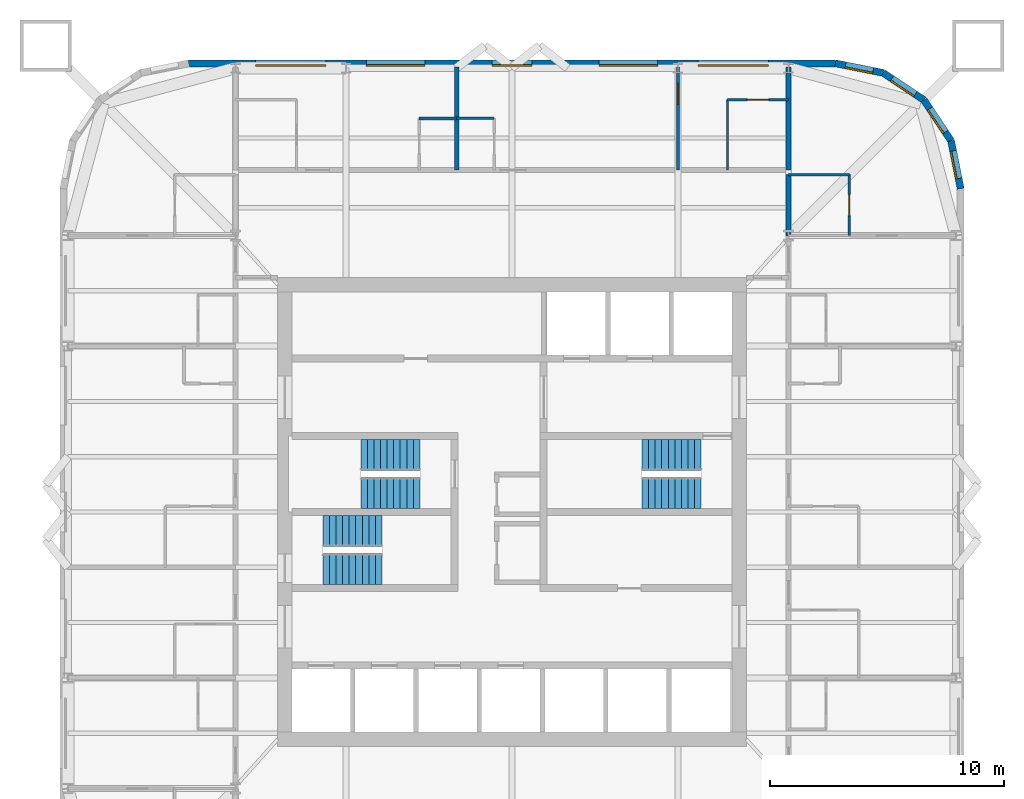
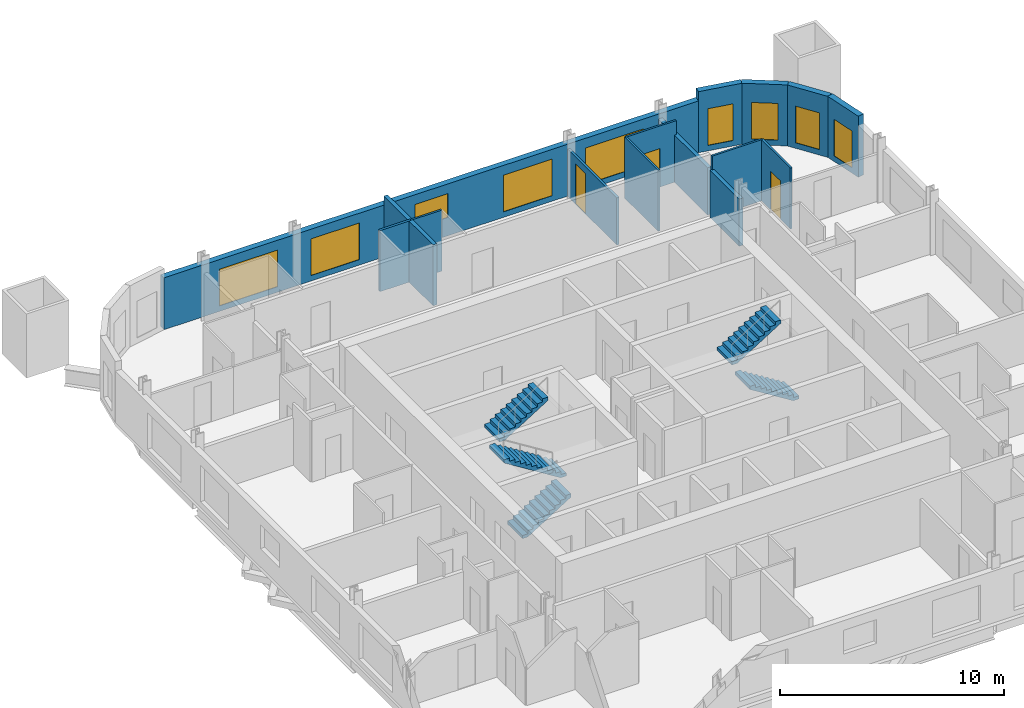
# One storey, part 7 of 8: 15 walls, 9 windows, 6 stair flights, 3 doors, 12 openings, 3 elements without a shape of their own.
"""IFC4 building model written with IfcOpenShell, lengths in metres."""

from ifc_helpers import new_model, si_unit, direction, frame, frame_2d, origin, place, context, subcontext, project, spatial, polyline, rectangle, outline, extrude, material, layer, layer_set, type_object, element, fill, aggregate, save


model = new_model("IFC4")

# Units and contexts
model_context = context("Model", 3, precision=1e-05, world=origin(), true_north=direction((0.0, 1.0)))
body_context = subcontext(model_context, "Body", "Model", "MODEL_VIEW")
ifc_project = project(units=[si_unit("LENGTHUNIT", "METRE"), si_unit("AREAUNIT", "SQUARE_METRE"), si_unit("VOLUMEUNIT", "CUBIC_METRE"), si_unit("PLANEANGLEUNIT", "RADIAN"), si_unit("MASSUNIT", "GRAM", prefix="KILO")], contexts=[model_context])

# Site, building, storey
site_placement = place(None, origin())
site = spatial("IfcSite", under=ifc_project, at=site_placement, CompositionType="ELEMENT")
building_placement = place(site_placement, origin())
building = spatial("IfcBuilding", under=site, at=building_placement, Name="Turquesa Mirador Hotel Tower", CompositionType="ELEMENT")
storey_placement = place(building_placement, frame((0.0, 0.0, 193.300048828125)))
storey = spatial("IfcBuildingStorey", under=building, at=storey_placement, Name="L52", CompositionType="ELEMENT", Elevation=193.300048828125)

# Walls
ifc_material_1 = material(Name="Gypsum board on steel studs", Category="steel")
ifc_layer_1 = layer(ifc_material_1, 0.10009765625)
ifc_layer_set_1 = layer_set([ifc_layer_1], Name="BATHROOM WALL 100")
wall_type_1 = type_object("IfcWallType", Name="BATHROOM WALL 100", PredefinedType="PARTITIONING", material=ifc_layer_set_1)
wall_1_placement = place(storey_placement, frame((66.800048828125, 59.39990234375, 0.0), z_axis=(0.0, 0.0, 1.0), x_axis=(1.0, 0.0, 0.0)))
element("IfcWall", 1, at=wall_1_placement, inside=storey, type_object=wall_type_1, Name="Partition L52 029", PredefinedType="PARTITIONING", context=body_context, shape_type="SweptSolid", body=[
    extrude(rectangle(XDim=2.599853515625, YDim=0.10009765625, at=frame_2d((1.2998046875, 0.0))), origin(), (0.0, 0.0, 1.0), 3.329833984375),
])
wall_2_placement = place(storey_placement, frame((52.639892578125, 61.800048828125, 0.0), z_axis=(0.0, 0.0, 1.0), x_axis=(1.0, 0.0, 0.0)))
element("IfcWall", 2, at=wall_2_placement, inside=storey, type_object=wall_type_1, Name="Partition L52 031", PredefinedType="PARTITIONING", context=body_context, shape_type="SweptSolid", body=[
    extrude(rectangle(XDim=1.60009765625, YDim=0.10009765625, at=frame_2d((0.800048828125, 0.0))), origin(), (0.0, 0.0, 1.0), 3.329833984375),
])

# Wall, opening, door
wall_3_placement = place(storey_placement, frame((64.199951171875, 62.60009765625, 0.0), z_axis=(0.0, 0.0, 1.0), x_axis=(1.0, 0.0, 0.0)))
wall_3 = element("IfcWall", 3, at=wall_3_placement, inside=storey, type_object=wall_type_1, Name="Partition L52 034", PredefinedType="PARTITIONING", context=body_context, shape_type="SweptSolid", body=[
    extrude(rectangle(XDim=2.60009765625, YDim=0.10009765625, at=frame_2d((1.300048828125, 0.0))), origin(), (0.0, 0.0, 1.0), 3.329833984375),
])
opening_1_placement = place(wall_3_placement, frame((0.85009765625, 0.0, 0.0)))
opening_1 = element("IfcOpeningElement", 4, at=opening_1_placement, cuts=wall_3, Name="Opening D02", PredefinedType="OPENING", context=body_context, shape_type="SweptSolid", body=[
    extrude(rectangle(XDim=0.89990234375, YDim=2.10009765625, at=frame_2d((0.449951171875, 1.050048828125))), frame((0.0, 0.06005859375, 0.0), z_axis=(0.0, -1.0, 0.0), x_axis=(1.0, 0.0, 0.0)), (0.0, 0.0, 1.0), 0.1201171875),
])
ifc_material_2 = material(Name="Timber veneered door", Category="wood")
door_type_1 = type_object("IfcDoorType", Name="DOOR 900X2100 EN-SUITE", OperationType="SINGLE_SWING_RIGHT", PredefinedType="DOOR", material=ifc_material_2)
door_1_placement = place(opening_1_placement, origin())
door_1 = element("IfcDoor", 5, at=door_1_placement, inside=storey, type_object=door_type_1, Name="Door 5202B", OperationType="SINGLE_SWING_RIGHT", OverallHeight=2.10009765625, OverallWidth=0.89990234375, PredefinedType="DOOR", context=body_context, shape_type="SweptSolid", body=[
    extrude(rectangle(XDim=0.89990234375, YDim=2.10009765625, at=frame_2d((0.449951171875, 1.050048828125))), frame((0.0, 0.02490234375, 0.0), z_axis=(0.0, -1.0, 0.0), x_axis=(1.0, 0.0, 0.0)), (0.0, 0.0, 1.0), 0.050048828125),
])
fill(opening_1, door_1)

wall_4_placement = place(storey_placement, frame((69.39990234375, 56.800048828125, 0.0), z_axis=(0.0, 0.0, 1.0), x_axis=(0.0, 1.0, 0.0)))
wall_4 = element("IfcWall", 6, at=wall_4_placement, inside=storey, type_object=wall_type_1, Name="Partition L52 066", PredefinedType="PARTITIONING", context=body_context, shape_type="SweptSolid", body=[
    extrude(rectangle(XDim=2.599853515625, YDim=0.10009765625, at=frame_2d((1.2998046875, 0.0))), origin(), (0.0, 0.0, 1.0), 3.329833984375),
])
opening_2_placement = place(wall_4_placement, frame((0.85009765625, 0.0, 0.0)))
opening_2 = element("IfcOpeningElement", 7, at=opening_2_placement, cuts=wall_4, Name="Opening D02", PredefinedType="OPENING", context=body_context, shape_type="SweptSolid", body=[
    extrude(rectangle(XDim=0.89990234375, YDim=2.10009765625, at=frame_2d((0.449951171875, 1.050048828125))), frame((0.0, 0.06005859375, 0.0), z_axis=(0.0, -1.0, 0.0), x_axis=(1.0, 0.0, 0.0)), (0.0, 0.0, 1.0), 0.1201171875),
])
door_2_placement = place(opening_2_placement, origin())
door_2 = element("IfcDoor", 8, at=door_2_placement, inside=storey, type_object=door_type_1, Name="Door 5209B", OperationType="SINGLE_SWING_RIGHT", OverallHeight=2.10009765625, OverallWidth=0.89990234375, PredefinedType="DOOR", context=body_context, shape_type="SweptSolid", body=[
    extrude(rectangle(XDim=0.89990234375, YDim=2.10009765625, at=frame_2d((0.449951171875, 1.050048828125))), frame((0.0, 0.02490234375, 0.0), z_axis=(0.0, -1.0, 0.0), x_axis=(1.0, 0.0, 0.0)), (0.0, 0.0, 1.0), 0.050048828125),
])
fill(opening_2, door_2)

# Walls
wall_5_placement = place(storey_placement, frame((64.199951171875, 59.60009765625, 0.0), z_axis=(0.0, 0.0, 1.0), x_axis=(0.0, 1.0, 0.0)))
element("IfcWall", 9, at=wall_5_placement, inside=storey, type_object=wall_type_1, Name="Partition L52 072", PredefinedType="PARTITIONING", context=body_context, shape_type="SweptSolid", body=[
    extrude(rectangle(XDim=3.0, YDim=0.10009765625, at=frame_2d((1.5, 0.0))), origin(), (0.0, 0.0, 1.0), 3.329833984375),
])
ifc_material_3 = material(Name="Fire-rated gypsum board on steel studs", Category="steel")
ifc_layer_2 = layer(ifc_material_3, 0.199951171875)
ifc_layer_set_2 = layer_set([ifc_layer_2], Name="CORRIDOR WALL 200")
wall_type_2 = type_object("IfcWallType", Name="CORRIDOR WALL 200", PredefinedType="PARTITIONING", material=ifc_layer_set_2)
wall_6_placement = place(storey_placement, frame((66.800048828125, 56.780029296875, 0.0), z_axis=(0.0, 0.0, 1.0), x_axis=(0.0, 1.0, 0.0)))
element("IfcWall", 10, at=wall_6_placement, inside=storey, type_object=wall_type_2, Name="Partition L52 076", PredefinedType="PARTITIONING", context=body_context, shape_type="SweptSolid", body=[
    extrude(rectangle(XDim=2.619873046875, YDim=0.199951171875, at=frame_2d((1.31005859375, 0.0))), origin(), (0.0, 0.0, 1.0), 2.572998046875),
])

# Wall, opening, window
ifc_material_4 = material(Name="Limestone cladding on concrete block", Category="masonry")
ifc_layer_3 = layer(ifc_material_4, 0.300048828125)
ifc_layer_set_3 = layer_set([ifc_layer_3], Name="FACADE WALL 300 STONE SCREEN")
wall_type_3 = type_object("IfcWallType", Name="FACADE WALL 300 STONE SCREEN", PredefinedType="SOLIDWALL", material=ifc_layer_set_3)
wall_7_placement = place(storey_placement, frame((74.14990234375, 58.800048828125, 0.0), z_axis=(0.0, 0.0, 1.0), x_axis=(-0.195081421501, 0.980787050784, 0.0)))
wall_7 = element("IfcWall", 11, at=wall_7_placement, inside=storey, type_object=wall_type_3, Name="Facade wall L52 05", PredefinedType="SOLIDWALL", context=body_context, shape_type="SweptSolid", body=[
    extrude(rectangle(XDim=2.08740234375, YDim=0.300048828125, at=frame_2d((1.043701171875, 0.0))), origin(), (0.0, 0.0, 1.0), 3.329833984375),
])
opening_3_placement = place(wall_7_placement, frame((0.443603515625, 0.0, 0.300048828125)))
opening_3 = element("IfcOpeningElement", 12, at=opening_3_placement, cuts=wall_7, Name="Opening WN4", PredefinedType="OPENING", context=body_context, shape_type="SweptSolid", body=[
    extrude(rectangle(XDim=1.199951171875, YDim=2.0, at=frame_2d((0.60009765625, 1.0))), frame((0.0, 0.159912109375, 0.0), z_axis=(0.0, -1.0, 0.0), x_axis=(1.0, 0.0, 0.0)), (0.0, 0.0, 1.0), 0.320068359375),
])
ifc_material_5 = material(Name="Ceramic-fritted laminated glass", Category="glass")
window_type_1 = type_object("IfcWindowType", Name="FRITTED CORNER WINDOW 1200X2000", PartitioningType="DOUBLE_PANEL_HORIZONTAL", PredefinedType="WINDOW", material=ifc_material_5)
window_1_placement = place(opening_3_placement, origin())
window_1 = element("IfcWindow", 13, at=window_1_placement, inside=storey, type_object=window_type_1, Name="Window L52", OverallHeight=2.0, OverallWidth=1.199951171875, PartitioningType="SINGLE_PANEL", PredefinedType="WINDOW", context=body_context, shape_type="SweptSolid", body=[
    extrude(rectangle(XDim=1.199951171875, YDim=2.0, at=frame_2d((0.60009765625, 1.0))), frame((0.0, 0.130126953125, 0.0), z_axis=(0.0, -1.0, 0.0), x_axis=(1.0, 0.0, 0.0)), (0.0, 0.0, 1.0), 0.06005859375),
])
fill(opening_3, window_1)

wall_8_placement = place(storey_placement, frame((73.74267578125, 60.847412109375, 0.0), z_axis=(0.0, 0.0, 1.0), x_axis=(-0.555563607591, 0.831474039234, 0.0)))
wall_8 = element("IfcWall", 14, at=wall_8_placement, inside=storey, type_object=wall_type_3, Name="Facade wall L52 06", PredefinedType="SOLIDWALL", context=body_context, shape_type="SweptSolid", body=[
    extrude(rectangle(XDim=2.08740234375, YDim=0.300048828125, at=frame_2d((1.043701171875, 0.0))), origin(), (0.0, 0.0, 1.0), 3.329833984375),
])
opening_4_placement = place(wall_8_placement, frame((0.443603515625, 0.0, 0.300048828125)))
opening_4 = element("IfcOpeningElement", 15, at=opening_4_placement, cuts=wall_8, Name="Opening WN4", PredefinedType="OPENING", context=body_context, shape_type="SweptSolid", body=[
    extrude(rectangle(XDim=1.199951171875, YDim=2.0, at=frame_2d((0.60009765625, 1.0))), frame((0.0, 0.159912109375, 0.0), z_axis=(0.0, -1.0, 0.0), x_axis=(1.0, 0.0, 0.0)), (0.0, 0.0, 1.0), 0.320068359375),
])
window_2_placement = place(opening_4_placement, origin())
window_2 = element("IfcWindow", 16, at=window_2_placement, inside=storey, type_object=window_type_1, Name="Window L52", OverallHeight=2.0, OverallWidth=1.199951171875, PartitioningType="SINGLE_PANEL", PredefinedType="WINDOW", context=body_context, shape_type="SweptSolid", body=[
    extrude(rectangle(XDim=1.199951171875, YDim=2.0, at=frame_2d((0.60009765625, 1.0))), frame((0.0, 0.130126953125, 0.0), z_axis=(0.0, -1.0, 0.0), x_axis=(1.0, 0.0, 0.0)), (0.0, 0.0, 1.0), 0.06005859375),
])
fill(opening_4, window_2)

wall_9_placement = place(storey_placement, frame((72.5830078125, 62.5830078125, 0.0), z_axis=(0.0, 0.0, 1.0), x_axis=(-0.831474039234, 0.555563607591, 0.0)))
wall_9 = element("IfcWall", 17, at=wall_9_placement, inside=storey, type_object=wall_type_3, Name="Facade wall L52 07", PredefinedType="SOLIDWALL", context=body_context, shape_type="SweptSolid", body=[
    extrude(rectangle(XDim=2.08740234375, YDim=0.300048828125, at=frame_2d((1.043701171875, 0.0))), origin(), (0.0, 0.0, 1.0), 3.329833984375),
])
opening_5_placement = place(wall_9_placement, frame((0.443603515625, 0.0, 0.300048828125)))
opening_5 = element("IfcOpeningElement", 18, at=opening_5_placement, cuts=wall_9, Name="Opening WN4", PredefinedType="OPENING", context=body_context, shape_type="SweptSolid", body=[
    extrude(rectangle(XDim=1.199951171875, YDim=2.0, at=frame_2d((0.60009765625, 1.0))), frame((0.0, 0.159912109375, 0.0), z_axis=(0.0, -1.0, 0.0), x_axis=(1.0, 0.0, 0.0)), (0.0, 0.0, 1.0), 0.320068359375),
])
window_3_placement = place(opening_5_placement, origin())
window_3 = element("IfcWindow", 19, at=window_3_placement, inside=storey, type_object=window_type_1, Name="Window L52", OverallHeight=2.0, OverallWidth=1.199951171875, PartitioningType="SINGLE_PANEL", PredefinedType="WINDOW", context=body_context, shape_type="SweptSolid", body=[
    extrude(rectangle(XDim=1.199951171875, YDim=2.0, at=frame_2d((0.60009765625, 1.0))), frame((0.0, 0.130126953125, 0.0), z_axis=(0.0, -1.0, 0.0), x_axis=(1.0, 0.0, 0.0)), (0.0, 0.0, 1.0), 0.06005859375),
])
fill(opening_5, window_3)

wall_10_placement = place(storey_placement, frame((70.847412109375, 63.74267578125, 0.0), z_axis=(0.0, 0.0, 1.0), x_axis=(-0.980787050784, 0.195081421501, 0.0)))
wall_10 = element("IfcWall", 20, at=wall_10_placement, inside=storey, type_object=wall_type_3, Name="Facade wall L52 08", PredefinedType="SOLIDWALL", context=body_context, shape_type="SweptSolid", body=[
    extrude(rectangle(XDim=2.08740234375, YDim=0.300048828125, at=frame_2d((1.043701171875, 0.0))), origin(), (0.0, 0.0, 1.0), 3.329833984375),
])
opening_6_placement = place(wall_10_placement, frame((0.443603515625, 0.0, 0.300048828125)))
opening_6 = element("IfcOpeningElement", 21, at=opening_6_placement, cuts=wall_10, Name="Opening WN4", PredefinedType="OPENING", context=body_context, shape_type="SweptSolid", body=[
    extrude(rectangle(XDim=1.199951171875, YDim=2.0, at=frame_2d((0.60009765625, 1.0))), frame((0.0, 0.159912109375, 0.0), z_axis=(0.0, -1.0, 0.0), x_axis=(1.0, 0.0, 0.0)), (0.0, 0.0, 1.0), 0.320068359375),
])
window_4_placement = place(opening_6_placement, origin())
window_4 = element("IfcWindow", 22, at=window_4_placement, inside=storey, type_object=window_type_1, Name="Window L52", OverallHeight=2.0, OverallWidth=1.199951171875, PartitioningType="SINGLE_PANEL", PredefinedType="WINDOW", context=body_context, shape_type="SweptSolid", body=[
    extrude(rectangle(XDim=1.199951171875, YDim=2.0, at=frame_2d((0.60009765625, 1.0))), frame((0.0, 0.130126953125, 0.0), z_axis=(0.0, -1.0, 0.0), x_axis=(1.0, 0.0, 0.0)), (0.0, 0.0, 1.0), 0.06005859375),
])
fill(opening_6, window_4)

# Wall, openings, windows
wall_11_placement = place(storey_placement, frame((68.800048828125, 64.14990234375, 0.0), z_axis=(0.0, 0.0, 1.0), x_axis=(-1.0, 0.0, 0.0)))
wall_11 = element("IfcWall", 23, at=wall_11_placement, inside=storey, type_object=wall_type_3, Name="Facade wall L52 09", PredefinedType="SOLIDWALL", context=body_context, shape_type="SweptSolid", body=[
    extrude(rectangle(XDim=27.60009765625, YDim=0.300048828125, at=frame_2d((13.800048828125, 0.0))), origin(), (0.0, 0.0, 1.0), 2.829833984375),
])
opening_7_placement = place(wall_11_placement, frame((2.860107421875, 0.0, 0.300048828125)))
opening_7 = element("IfcOpeningElement", 24, at=opening_7_placement, cuts=wall_11, Name="Opening WN1", PredefinedType="OPENING", context=body_context, shape_type="SweptSolid", body=[
    extrude(rectangle(XDim=3.0, YDim=2.0, at=frame_2d((1.5, 1.0))), frame((0.0, 0.159912109375, 0.0), z_axis=(0.0, -1.0, 0.0), x_axis=(1.0, 0.0, 0.0)), (0.0, 0.0, 1.0), 0.320068359375),
])
opening_8_placement = place(wall_11_placement, frame((7.580078125, 0.0, 0.300048828125)))
opening_8 = element("IfcOpeningElement", 25, at=opening_8_placement, cuts=wall_11, Name="Opening WN52", PredefinedType="OPENING", context=body_context, shape_type="SweptSolid", body=[
    extrude(rectangle(XDim=2.5, YDim=2.0, at=frame_2d((1.25, 1.0))), frame((0.0, 0.159912109375, 0.0), z_axis=(0.0, -1.0, 0.0), x_axis=(1.0, 0.0, 0.0)), (0.0, 0.0, 1.0), 0.320068359375),
])
opening_9_placement = place(wall_11_placement, frame((12.949951171875, 0.0, 1.0)))
opening_9 = element("IfcOpeningElement", 26, at=opening_9_placement, cuts=wall_11, Name="Opening WN45", PredefinedType="OPENING", context=body_context, shape_type="SweptSolid", body=[
    extrude(rectangle(XDim=1.699951171875, YDim=1.300048828125, at=frame_2d((0.85009765625, 0.64990234375))), frame((0.0, 0.159912109375, 0.0), z_axis=(0.0, -1.0, 0.0), x_axis=(1.0, 0.0, 0.0)), (0.0, 0.0, 1.0), 0.320068359375),
])
opening_10_placement = place(wall_11_placement, frame((17.52001953125, 0.0, 0.300048828125)))
opening_10 = element("IfcOpeningElement", 27, at=opening_10_placement, cuts=wall_11, Name="Opening WN52", PredefinedType="OPENING", context=body_context, shape_type="SweptSolid", body=[
    extrude(rectangle(XDim=2.5, YDim=2.0, at=frame_2d((1.25, 1.0))), frame((0.0, 0.159912109375, 0.0), z_axis=(0.0, -1.0, 0.0), x_axis=(1.0, 0.0, 0.0)), (0.0, 0.0, 1.0), 0.320068359375),
])
opening_11_placement = place(wall_11_placement, frame((21.739990234375, 0.0, 0.300048828125)))
opening_11 = element("IfcOpeningElement", 28, at=opening_11_placement, cuts=wall_11, Name="Opening WN1", PredefinedType="OPENING", context=body_context, shape_type="SweptSolid", body=[
    extrude(rectangle(XDim=3.0, YDim=2.0, at=frame_2d((1.5, 1.0))), frame((0.0, 0.159912109375, 0.0), z_axis=(0.0, -1.0, 0.0), x_axis=(1.0, 0.0, 0.0)), (0.0, 0.0, 1.0), 0.320068359375),
])
ifc_material_6 = material(Name="Ceramic-fritted laminated glass", Category="glass")
window_type_2 = type_object("IfcWindowType", Name="FRITTED WINDOW 1700X1300", PartitioningType="DOUBLE_PANEL_HORIZONTAL", PredefinedType="WINDOW", material=ifc_material_6)
window_5_placement = place(opening_9_placement, origin())
window_5 = element("IfcWindow", 29, at=window_5_placement, inside=storey, type_object=window_type_2, Name="Window L52", OverallHeight=1.300048828125, OverallWidth=1.699951171875, PartitioningType="SINGLE_PANEL", PredefinedType="WINDOW", context=body_context, shape_type="SweptSolid", body=[
    extrude(rectangle(XDim=1.699951171875, YDim=1.300048828125, at=frame_2d((0.85009765625, 0.64990234375))), frame((0.0, 0.130126953125, 0.0), z_axis=(0.0, -1.0, 0.0), x_axis=(1.0, 0.0, 0.0)), (0.0, 0.0, 1.0), 0.06005859375),
])
fill(opening_9, window_5)
ifc_material_7 = material(Name="Ceramic-fritted laminated glass", Category="glass")
window_type_3 = type_object("IfcWindowType", Name="FRITTED WINDOW 2500X2000", PartitioningType="DOUBLE_PANEL_HORIZONTAL", PredefinedType="WINDOW", material=ifc_material_7)
window_6_placement = place(opening_8_placement, origin())
window_6 = element("IfcWindow", 30, at=window_6_placement, inside=storey, type_object=window_type_3, Name="Window L52", OverallHeight=2.0, OverallWidth=2.5, PartitioningType="SINGLE_PANEL", PredefinedType="WINDOW", context=body_context, shape_type="SweptSolid", body=[
    extrude(rectangle(XDim=2.5, YDim=2.0, at=frame_2d((1.25, 1.0))), frame((0.0, 0.130126953125, 0.0), z_axis=(0.0, -1.0, 0.0), x_axis=(1.0, 0.0, 0.0)), (0.0, 0.0, 1.0), 0.06005859375),
])
fill(opening_8, window_6)
window_7_placement = place(opening_10_placement, origin())
window_7 = element("IfcWindow", 31, at=window_7_placement, inside=storey, type_object=window_type_3, Name="Window L52", OverallHeight=2.0, OverallWidth=2.5, PartitioningType="SINGLE_PANEL", PredefinedType="WINDOW", context=body_context, shape_type="SweptSolid", body=[
    extrude(rectangle(XDim=2.5, YDim=2.0, at=frame_2d((1.25, 1.0))), frame((0.0, 0.130126953125, 0.0), z_axis=(0.0, -1.0, 0.0), x_axis=(1.0, 0.0, 0.0)), (0.0, 0.0, 1.0), 0.06005859375),
])
fill(opening_10, window_7)
ifc_material_8 = material(Name="Ceramic-fritted laminated glass", Category="glass")
window_type_4 = type_object("IfcWindowType", Name="FRITTED WINDOW 3000X2000", PartitioningType="DOUBLE_PANEL_HORIZONTAL", PredefinedType="WINDOW", material=ifc_material_8)
window_8_placement = place(opening_7_placement, origin())
window_8 = element("IfcWindow", 32, at=window_8_placement, inside=storey, type_object=window_type_4, Name="Window L52", OverallHeight=2.0, OverallWidth=3.0, PartitioningType="SINGLE_PANEL", PredefinedType="WINDOW", context=body_context, shape_type="SweptSolid", body=[
    extrude(rectangle(XDim=3.0, YDim=2.0, at=frame_2d((1.5, 1.0))), frame((0.0, 0.130126953125, 0.0), z_axis=(0.0, -1.0, 0.0), x_axis=(1.0, 0.0, 0.0)), (0.0, 0.0, 1.0), 0.06005859375),
])
fill(opening_7, window_8)
window_9_placement = place(opening_11_placement, origin())
window_9 = element("IfcWindow", 33, at=window_9_placement, inside=storey, type_object=window_type_4, Name="Window L52", OverallHeight=2.0, OverallWidth=3.0, PartitioningType="SINGLE_PANEL", PredefinedType="WINDOW", context=body_context, shape_type="SweptSolid", body=[
    extrude(rectangle(XDim=3.0, YDim=2.0, at=frame_2d((1.5, 1.0))), frame((0.0, 0.130126953125, 0.0), z_axis=(0.0, -1.0, 0.0), x_axis=(1.0, 0.0, 0.0)), (0.0, 0.0, 1.0), 0.06005859375),
])
fill(opening_11, window_9)

# Walls
ifc_material_9 = material(Name="Fire-rated gypsum board on steel studs", Category="steel")
ifc_layer_4 = layer(ifc_material_9, 0.199951171875)
ifc_layer_set_4 = layer_set([ifc_layer_4], Name="PARTY WALL 200")
wall_type_4 = type_object("IfcWallType", Name="PARTY WALL 200", PredefinedType="PARTITIONING", material=ifc_layer_set_4)
wall_12_placement = place(storey_placement, frame((52.639892578125, 59.60009765625, 0.0), z_axis=(0.0, 0.0, 1.0), x_axis=(0.0, 1.0, 0.0)))
element("IfcWall", 34, at=wall_12_placement, inside=storey, type_object=wall_type_4, Name="Partition L52 054", PredefinedType="PARTITIONING", context=body_context, shape_type="SweptSolid", body=[
    extrude(rectangle(XDim=4.39990234375, YDim=0.199951171875, at=frame_2d((2.199951171875, 0.0))), origin(), (0.0, 0.0, 1.0), 3.329833984375),
])
wall_13_placement = place(storey_placement, frame((66.800048828125, 59.60009765625, 0.0), z_axis=(0.0, 0.0, 1.0), x_axis=(0.0, 1.0, 0.0)))
element("IfcWall", 35, at=wall_13_placement, inside=storey, type_object=wall_type_4, Name="Partition L52 061", PredefinedType="PARTITIONING", context=body_context, shape_type="SweptSolid", body=[
    extrude(rectangle(XDim=4.39990234375, YDim=0.199951171875, at=frame_2d((2.199951171875, 0.0))), origin(), (0.0, 0.0, 1.0), 2.572998046875),
])
ifc_material_10 = material(Name="Acoustic gypsum board on steel studs", Category="steel")
ifc_layer_5 = layer(ifc_material_10, 0.125)
ifc_layer_set_5 = layer_set([ifc_layer_5], Name="SUITE PARTITION 125")
wall_type_5 = type_object("IfcWallType", Name="SUITE PARTITION 125", PredefinedType="PARTITIONING", material=ifc_layer_set_5)
wall_14_placement = place(storey_placement, frame((51.0400390625, 61.800048828125, 0.0), z_axis=(0.0, 0.0, 1.0), x_axis=(1.0, 0.0, 0.0)))
element("IfcWall", 36, at=wall_14_placement, inside=storey, type_object=wall_type_5, Name="Partition L52 032", PredefinedType="PARTITIONING", context=body_context, shape_type="SweptSolid", body=[
    extrude(rectangle(XDim=1.599853515625, YDim=0.125, at=frame_2d((0.7998046875, 0.0))), origin(), (0.0, 0.0, 1.0), 3.329833984375),
])

# Wall, opening, door
wall_15_placement = place(storey_placement, frame((62.080078125, 59.60009765625, 0.0), z_axis=(0.0, 0.0, 1.0), x_axis=(0.0, 1.0, 0.0)))
wall_15 = element("IfcWall", 37, at=wall_15_placement, inside=storey, type_object=wall_type_5, Name="Partition L52 070", PredefinedType="PARTITIONING", context=body_context, shape_type="SweptSolid", body=[
    extrude(rectangle(XDim=4.39990234375, YDim=0.125, at=frame_2d((2.199951171875, 0.0))), origin(), (0.0, 0.0, 1.0), 2.572998046875),
])
opening_12_placement = place(wall_15_placement, frame((2.800048828125, 0.0, 0.0)))
opening_12 = element("IfcOpeningElement", 38, at=opening_12_placement, cuts=wall_15, Name="Opening D17", PredefinedType="OPENING", context=body_context, shape_type="SweptSolid", body=[
    extrude(rectangle(XDim=0.89990234375, YDim=2.199951171875, at=frame_2d((0.449951171875, 1.10009765625))), frame((0.0, 0.072509765625, 0.0), z_axis=(0.0, -1.0, 0.0), x_axis=(1.0, 0.0, 0.0)), (0.0, 0.0, 1.0), 0.14501953125),
])
ifc_material_11 = material(Name="Timber veneered door", Category="wood")
door_type_2 = type_object("IfcDoorType", Name="DOOR 900X2200 SUITE INTERNAL", OperationType="SINGLE_SWING_LEFT", PredefinedType="DOOR", material=ifc_material_11)
door_3_placement = place(opening_12_placement, origin())
door_3 = element("IfcDoor", 39, at=door_3_placement, inside=storey, type_object=door_type_2, Name="Door 5202R", OperationType="SINGLE_SWING_LEFT", OverallHeight=2.199951171875, OverallWidth=0.89990234375, PredefinedType="DOOR", context=body_context, shape_type="SweptSolid", body=[
    extrude(rectangle(XDim=0.89990234375, YDim=2.199951171875, at=frame_2d((0.449951171875, 1.10009765625))), frame((0.0, 0.02490234375, 0.0), z_axis=(0.0, -1.0, 0.0), x_axis=(1.0, 0.0, 0.0)), (0.0, 0.0, 1.0), 0.050048828125),
])
fill(opening_12, door_3)

# Stair, stair flights
ifc_material_12 = material(Name="Concrete C35/45", Category="concrete")
stair_type = type_object("IfcStairType", Name="ESCAPE STAIR CORE", PredefinedType="HALF_TURN_STAIR", material=ifc_material_12)
stair_1_placement = place(storey_placement, origin())
stair_1 = element("IfcStair", 40, at=stair_1_placement, inside=storey, type_object=stair_type, Name="Stair ST1 L52 to L53", PredefinedType="HALF_TURN_STAIR")
ifc_material_13 = material(Name="Concrete C35/45 precast flight", Category="concrete")
stair_flight_type = type_object("IfcStairFlightType", Name="STAIR FLIGHT 1330", PredefinedType="STRAIGHT", material=ifc_material_13)
stair_flight_1_placement = place(storey_placement, frame((51.070068359375, 45.81494140625, 0.0), z_axis=(0.0, 0.0, 1.0), x_axis=(-1.0, 0.0, 0.0)))
stair_flight_1 = element("IfcStairFlight", 41, at=stair_flight_1_placement, type_object=stair_flight_type, Name="ST1 flight 1", NumberOfRisers=10, NumberOfTreads=9, PredefinedType="STRAIGHT", RiserHeight=0.175, TreadLength=0.28, context=body_context, shape_type="SweptSolid", body=[
    extrude(outline(polyline([(0.0, 0.0), (0.0, 0.175048828125), (0.280029296875, 0.175048828125), (0.280029296875, 0.35009765625), (0.56005859375, 0.35009765625), (0.56005859375, 0.52490234375), (0.840087890625, 0.52490234375), (0.840087890625, 0.699951171875), (1.1201171875, 0.699951171875), (1.1201171875, 0.875), (1.39990234375, 0.875), (1.39990234375, 1.050048828125), (1.679931640625, 1.050048828125), (1.679931640625, 1.22509765625), (1.9599609375, 1.22509765625), (1.9599609375, 1.39990234375), (2.239990234375, 1.39990234375), (2.239990234375, 1.574951171875), (2.52001953125, 1.574951171875), (2.52001953125, 1.75), (2.52001953125, 1.398193359375), (0.28271484375, 0.0), (0.0, 0.0)])), frame((0.0, 0.6650390625, 0.0), z_axis=(0.0, -1.0, 0.0), x_axis=(1.0, 0.0, 0.0)), (0.0, 0.0, 1.0), 1.330078125),
])
stair_flight_2_placement = place(storey_placement, frame((48.550048828125, 47.43505859375, 1.75), z_axis=(0.0, 0.0, 1.0), x_axis=(1.0, 0.0, 0.0)))
stair_flight_2 = element("IfcStairFlight", 42, at=stair_flight_2_placement, type_object=stair_flight_type, Name="ST1 flight 2", NumberOfRisers=10, NumberOfTreads=9, PredefinedType="STRAIGHT", RiserHeight=0.175, TreadLength=0.28, context=body_context, shape_type="SweptSolid", body=[
    extrude(outline(polyline([(0.0, 0.0), (0.0, 0.175048828125), (0.280029296875, 0.175048828125), (0.280029296875, 0.35009765625), (0.56005859375, 0.35009765625), (0.56005859375, 0.52490234375), (0.840087890625, 0.52490234375), (0.840087890625, 0.699951171875), (1.1201171875, 0.699951171875), (1.1201171875, 0.875), (1.39990234375, 0.875), (1.39990234375, 1.050048828125), (1.679931640625, 1.050048828125), (1.679931640625, 1.22509765625), (1.9599609375, 1.22509765625), (1.9599609375, 1.39990234375), (2.239990234375, 1.39990234375), (2.239990234375, 1.574951171875), (2.52001953125, 1.574951171875), (2.52001953125, 1.75), (2.52001953125, 1.398193359375), (0.28271484375, 0.0), (0.0, 0.0)])), frame((0.0, 0.6650390625, 0.0), z_axis=(0.0, -1.0, 0.0), x_axis=(1.0, 0.0, 0.0)), (0.0, 0.0, 1.0), 1.330078125),
])
aggregate(stair_1, [stair_flight_1, stair_flight_2])

stair_2_placement = place(storey_placement, origin())
stair_2 = element("IfcStair", 43, at=stair_2_placement, inside=storey, type_object=stair_type, Name="Stair ST2 L52 to L53", PredefinedType="HALF_TURN_STAIR")
stair_flight_3_placement = place(storey_placement, frame((46.929931640625, 42.56494140625, 0.0), z_axis=(0.0, 0.0, 1.0), x_axis=(1.0, 0.0, 0.0)))
stair_flight_3 = element("IfcStairFlight", 44, at=stair_flight_3_placement, type_object=stair_flight_type, Name="ST2 flight 1", NumberOfRisers=10, NumberOfTreads=9, PredefinedType="STRAIGHT", RiserHeight=0.175, TreadLength=0.28, context=body_context, shape_type="SweptSolid", body=[
    extrude(outline(polyline([(0.0, 0.0), (0.0, 0.175048828125), (0.280029296875, 0.175048828125), (0.280029296875, 0.35009765625), (0.56005859375, 0.35009765625), (0.56005859375, 0.52490234375), (0.840087890625, 0.52490234375), (0.840087890625, 0.699951171875), (1.1201171875, 0.699951171875), (1.1201171875, 0.875), (1.39990234375, 0.875), (1.39990234375, 1.050048828125), (1.679931640625, 1.050048828125), (1.679931640625, 1.22509765625), (1.9599609375, 1.22509765625), (1.9599609375, 1.39990234375), (2.239990234375, 1.39990234375), (2.239990234375, 1.574951171875), (2.52001953125, 1.574951171875), (2.52001953125, 1.75), (2.52001953125, 1.398193359375), (0.28271484375, 0.0), (0.0, 0.0)])), frame((0.0, 0.6650390625, 0.0), z_axis=(0.0, -1.0, 0.0), x_axis=(1.0, 0.0, 0.0)), (0.0, 0.0, 1.0), 1.330078125),
])
stair_flight_4_placement = place(storey_placement, frame((49.449951171875, 44.18505859375, 1.75), z_axis=(0.0, 0.0, 1.0), x_axis=(-1.0, 0.0, 0.0)))
stair_flight_4 = element("IfcStairFlight", 45, at=stair_flight_4_placement, type_object=stair_flight_type, Name="ST2 flight 2", NumberOfRisers=10, NumberOfTreads=9, PredefinedType="STRAIGHT", RiserHeight=0.175, TreadLength=0.28, context=body_context, shape_type="SweptSolid", body=[
    extrude(outline(polyline([(0.0, 0.0), (0.0, 0.175048828125), (0.280029296875, 0.175048828125), (0.280029296875, 0.35009765625), (0.56005859375, 0.35009765625), (0.56005859375, 0.52490234375), (0.840087890625, 0.52490234375), (0.840087890625, 0.699951171875), (1.1201171875, 0.699951171875), (1.1201171875, 0.875), (1.39990234375, 0.875), (1.39990234375, 1.050048828125), (1.679931640625, 1.050048828125), (1.679931640625, 1.22509765625), (1.9599609375, 1.22509765625), (1.9599609375, 1.39990234375), (2.239990234375, 1.39990234375), (2.239990234375, 1.574951171875), (2.52001953125, 1.574951171875), (2.52001953125, 1.75), (2.52001953125, 1.398193359375), (0.28271484375, 0.0), (0.0, 0.0)])), frame((0.0, 0.6650390625, 0.0), z_axis=(0.0, -1.0, 0.0), x_axis=(1.0, 0.0, 0.0)), (0.0, 0.0, 1.0), 1.330078125),
])
aggregate(stair_2, [stair_flight_3, stair_flight_4])

stair_3_placement = place(storey_placement, origin())
stair_3 = element("IfcStair", 46, at=stair_3_placement, inside=storey, type_object=stair_type, Name="Stair ST3 L52 to L53", PredefinedType="HALF_TURN_STAIR")
stair_flight_5_placement = place(storey_placement, frame((63.070068359375, 45.81494140625, 0.0), z_axis=(0.0, 0.0, 1.0), x_axis=(-1.0, 0.0, 0.0)))
stair_flight_5 = element("IfcStairFlight", 47, at=stair_flight_5_placement, type_object=stair_flight_type, Name="ST3 flight 1", NumberOfRisers=10, NumberOfTreads=9, PredefinedType="STRAIGHT", RiserHeight=0.175, TreadLength=0.28, context=body_context, shape_type="SweptSolid", body=[
    extrude(outline(polyline([(0.0, 0.0), (0.0, 0.175048828125), (0.280029296875, 0.175048828125), (0.280029296875, 0.35009765625), (0.56005859375, 0.35009765625), (0.56005859375, 0.52490234375), (0.840087890625, 0.52490234375), (0.840087890625, 0.699951171875), (1.1201171875, 0.699951171875), (1.1201171875, 0.875), (1.39990234375, 0.875), (1.39990234375, 1.050048828125), (1.679931640625, 1.050048828125), (1.679931640625, 1.22509765625), (1.9599609375, 1.22509765625), (1.9599609375, 1.39990234375), (2.239990234375, 1.39990234375), (2.239990234375, 1.574951171875), (2.52001953125, 1.574951171875), (2.52001953125, 1.75), (2.52001953125, 1.398193359375), (0.28271484375, 0.0), (0.0, 0.0)])), frame((0.0, 0.6650390625, 0.0), z_axis=(0.0, -1.0, 0.0), x_axis=(1.0, 0.0, 0.0)), (0.0, 0.0, 1.0), 1.330078125),
])
stair_flight_6_placement = place(storey_placement, frame((60.550048828125, 47.43505859375, 1.75), z_axis=(0.0, 0.0, 1.0), x_axis=(1.0, 0.0, 0.0)))
stair_flight_6 = element("IfcStairFlight", 48, at=stair_flight_6_placement, type_object=stair_flight_type, Name="ST3 flight 2", NumberOfRisers=10, NumberOfTreads=9, PredefinedType="STRAIGHT", RiserHeight=0.175, TreadLength=0.28, context=body_context, shape_type="SweptSolid", body=[
    extrude(outline(polyline([(0.0, 0.0), (0.0, 0.175048828125), (0.280029296875, 0.175048828125), (0.280029296875, 0.35009765625), (0.56005859375, 0.35009765625), (0.56005859375, 0.52490234375), (0.840087890625, 0.52490234375), (0.840087890625, 0.699951171875), (1.1201171875, 0.699951171875), (1.1201171875, 0.875), (1.39990234375, 0.875), (1.39990234375, 1.050048828125), (1.679931640625, 1.050048828125), (1.679931640625, 1.22509765625), (1.9599609375, 1.22509765625), (1.9599609375, 1.39990234375), (2.239990234375, 1.39990234375), (2.239990234375, 1.574951171875), (2.52001953125, 1.574951171875), (2.52001953125, 1.75), (2.52001953125, 1.398193359375), (0.28271484375, 0.0), (0.0, 0.0)])), frame((0.0, 0.6650390625, 0.0), z_axis=(0.0, -1.0, 0.0), x_axis=(1.0, 0.0, 0.0)), (0.0, 0.0, 1.0), 1.330078125),
])
aggregate(stair_3, [stair_flight_5, stair_flight_6])

save(model, "model.ifc")
